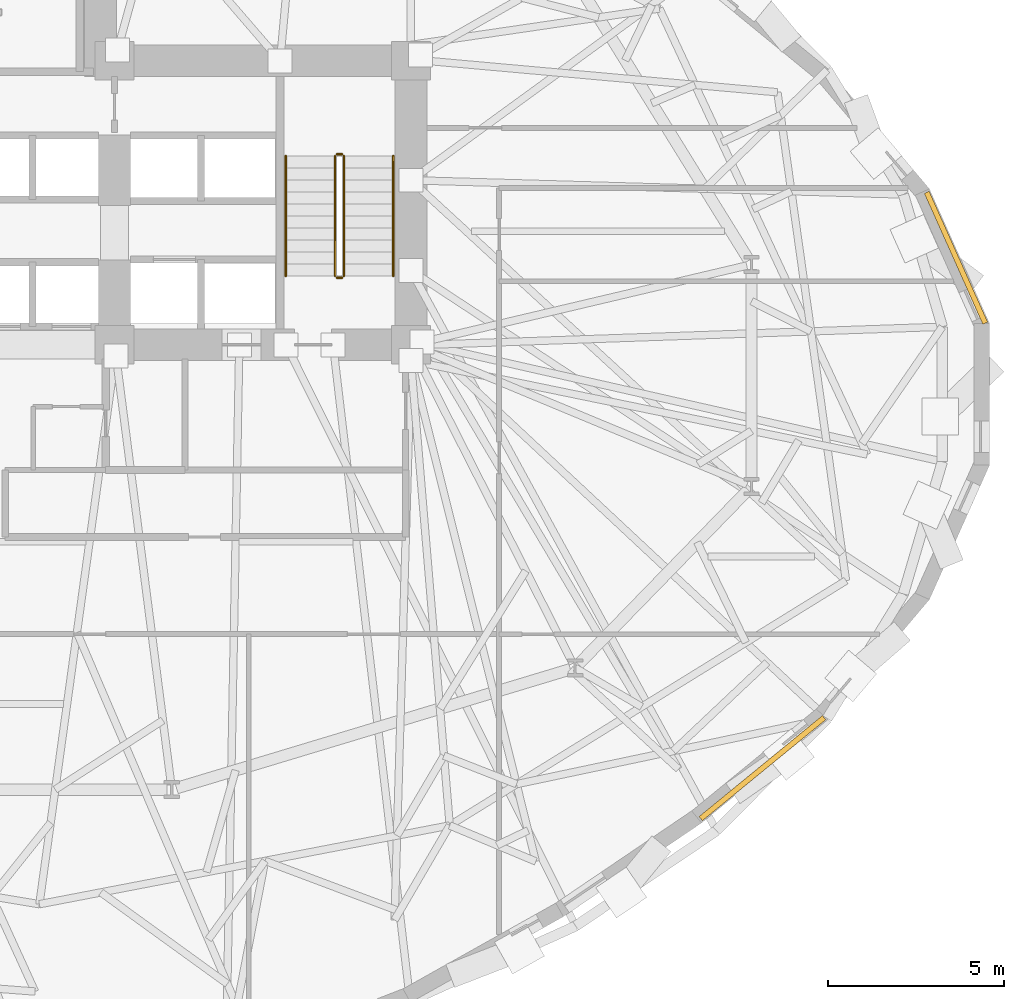
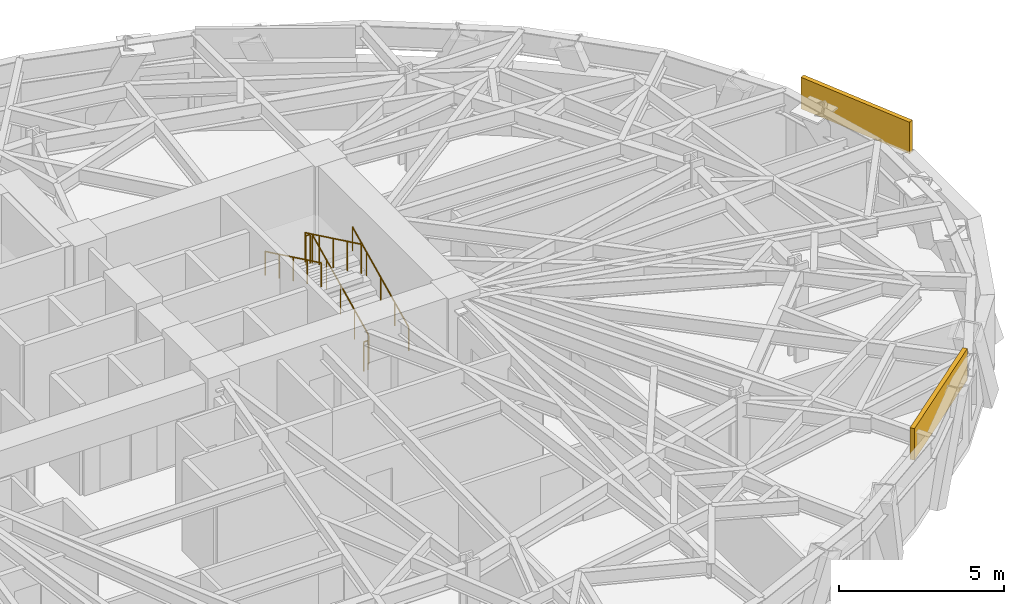
# One storey, part 13 of 14: 6 railings, 2 coverings.
"""IFC4 building model written with IfcOpenShell, lengths in metres."""

from ifc_helpers import new_model, si_unit, direction, frame, origin, origin_2d, place, context, subcontext, project, spatial, rectangle, circle, extrude, material, layer, layer_set, type_object, element, save


model = new_model("IFC4")

# Units and contexts
model_context = context("Model", 3, precision=1e-05, world=origin(), true_north=direction((0.0, 1.0)))
body_context = subcontext(model_context, "Body", "Model", "MODEL_VIEW")
ifc_project = project(units=[si_unit("LENGTHUNIT", "METRE"), si_unit("AREAUNIT", "SQUARE_METRE"), si_unit("VOLUMEUNIT", "CUBIC_METRE"), si_unit("PLANEANGLEUNIT", "RADIAN"), si_unit("MASSUNIT", "GRAM", prefix="KILO")], contexts=[model_context])

# Site, building, storey
site_placement = place(None, origin())
site = spatial("IfcSite", under=ifc_project, at=site_placement, CompositionType="ELEMENT")
building_placement = place(site_placement, origin())
building = spatial("IfcBuilding", under=site, at=building_placement, Name="Keldmark Tower", CompositionType="ELEMENT")
storey_placement = place(building_placement, frame((0.0, 0.0, 73.800048828125)))
storey = spatial("IfcBuildingStorey", under=building, at=storey_placement, Name="L19", CompositionType="ELEMENT", Elevation=73.800048828125)

# Coverings
ifc_material_1 = material(Name="Honed Kasota Buff Dolomitic Limestone", Category="masonry")
ifc_layer = layer(ifc_material_1, 0.074951171875)
ifc_layer_set = layer_set([ifc_layer], Name="Honed Kasota Buff Dolomitic Limestone")
covering_type = type_object("IfcCoveringType", Name="Kasota Buff Limestone Spandrel Cladding Band", PredefinedType="CLADDING", material=ifc_layer_set)
covering_1_placement = place(storey_placement, frame((29.050048828125, 3.8671875, 2.412841796875), z_axis=(0.0, 0.0, 1.0), x_axis=(-0.408378255707, 0.912812795849, 0.0)))
element("IfcCovering", 1, at=covering_1_placement, inside=storey, type_object=covering_type, Name="L19 Kasota Limestone Spandrel Band 01", PredefinedType="CLADDING", context=body_context, shape_type="SweptSolid", body=[
    extrude(rectangle(XDim=4.06103515625, YDim=0.14990234375, at=origin_2d()), origin(), (0.0, 0.0, 1.0), 1.1669921875),
])
covering_2_placement = place(storey_placement, frame((23.562255859375, -10.598876953125, 2.412841796875), z_axis=(0.0, 0.0, 1.0), x_axis=(0.773773877994, 0.633461905512, 0.0)))
element("IfcCovering", 2, at=covering_2_placement, inside=storey, type_object=covering_type, Name="L19 Kasota Limestone Spandrel Band 29", PredefinedType="CLADDING", context=body_context, shape_type="SweptSolid", body=[
    extrude(rectangle(XDim=4.516845703125, YDim=0.14990234375, at=origin_2d()), origin(), (0.0, 0.0, 1.0), 1.1669921875),
])

# Railings
ifc_material_2 = material(Name="Painted Steel ASTM A500 Grade B", Category="steel")
railing_type_1 = type_object("IfcRailingType", Name="Painted Steel Stair Well Guard 1100 mm", PredefinedType="GUARDRAIL", material=ifc_material_2)
railing_1_placement = place(storey_placement, frame((11.699951171875, 3.35009765625, 0.16357421875)))
element("IfcRailing", 3, at=railing_1_placement, inside=storey, type_object=railing_type_1, Name="L19 ST2 stair guard 1", PredefinedType="GUARDRAIL", context=body_context, shape_type="SweptSolid", body=[
    extrude(circle(Radius=0.02392578125, at=origin_2d()), frame((0.0, 0.0, 1.076171875), z_axis=(0.0, 0.901055053782, 0.433704726806), x_axis=(-1.0, 0.0, 0.0)), (0.0, 0.0, 1.0), 3.773193359375),
    extrude(circle(Radius=0.02099609375, at=origin_2d()), origin(), (0.0, 0.0, 1.0), 1.052001953125),
    extrude(circle(Radius=0.02099609375, at=origin_2d()), frame((0.0, 0.85009765625, 0.4091796875)), (0.0, 0.0, 1.0), 1.052001953125),
    extrude(circle(Radius=0.02099609375, at=origin_2d()), frame((0.0, 1.699951171875, 0.818359375)), (0.0, 0.0, 1.0), 1.052001953125),
    extrude(circle(Radius=0.02099609375, at=origin_2d()), frame((0.0, 2.5498046875, 1.227294921875)), (0.0, 0.0, 1.0), 1.052001953125),
    extrude(circle(Radius=0.02099609375, at=origin_2d()), frame((0.0, 3.39990234375, 1.636474609375)), (0.0, 0.0, 1.0), 1.052001953125),
])
railing_2_placement = place(storey_placement, frame((11.64990234375, 6.800048828125, 1.800048828125)))
element("IfcRailing", 4, at=railing_2_placement, inside=storey, type_object=railing_type_1, Name="L19 ST2 stair guard 2", PredefinedType="GUARDRAIL", context=body_context, shape_type="SweptSolid", body=[
    extrude(circle(Radius=0.02392578125, at=origin_2d()), frame((0.0, 0.0, 1.076171875), z_axis=(-1.0, 0.0, 0.0), x_axis=(0.0, -1.0, 0.0)), (0.0, 0.0, 1.0), 0.14990234375),
    extrude(circle(Radius=0.02099609375, at=origin_2d()), origin(), (0.0, 0.0, 1.0), 1.052001953125),
    extrude(circle(Radius=0.02099609375, at=origin_2d()), frame((-0.14990234375, 0.0, 0.0)), (0.0, 0.0, 1.0), 1.052001953125),
])
railing_3_placement = place(storey_placement, frame((11.449951171875, 6.75, 1.963623046875)))
element("IfcRailing", 5, at=railing_3_placement, inside=storey, type_object=railing_type_1, Name="L19 ST2 stair guard 3", PredefinedType="GUARDRAIL", context=body_context, shape_type="SweptSolid", body=[
    extrude(circle(Radius=0.02392578125, at=origin_2d()), frame((0.0, 0.0, 1.076171875), z_axis=(0.0, -0.901080338394, 0.433652192153), x_axis=(1.0, 0.0, 0.0)), (0.0, 0.0, 1.0), 3.773193359375),
    extrude(circle(Radius=0.02099609375, at=origin_2d()), origin(), (0.0, 0.0, 1.0), 1.052001953125),
    extrude(circle(Radius=0.02099609375, at=origin_2d()), frame((0.0, -0.85009765625, 0.4091796875)), (0.0, 0.0, 1.0), 1.052001953125),
    extrude(circle(Radius=0.02099609375, at=origin_2d()), frame((0.0, -1.699951171875, 0.818115234375)), (0.0, 0.0, 1.0), 1.052001953125),
    extrude(circle(Radius=0.02099609375, at=origin_2d()), frame((0.0, -2.5498046875, 1.22705078125)), (0.0, 0.0, 1.0), 1.052001953125),
    extrude(circle(Radius=0.02099609375, at=origin_2d()), frame((0.0, -3.39990234375, 1.63623046875)), (0.0, 0.0, 1.0), 1.052001953125),
])
railing_4_placement = place(storey_placement, frame((11.64990234375, 3.300048828125, 0.0)))
element("IfcRailing", 6, at=railing_4_placement, inside=storey, type_object=railing_type_1, Name="L19 ST2 stair guard 4", PredefinedType="GUARDRAIL", context=body_context, shape_type="SweptSolid", body=[
    extrude(circle(Radius=0.02392578125, at=origin_2d()), frame((0.0, 0.0, 1.076171875), z_axis=(-1.0, 0.0, 0.0), x_axis=(0.0, -1.0, 0.0)), (0.0, 0.0, 1.0), 0.14990234375),
    extrude(circle(Radius=0.02099609375, at=origin_2d()), origin(), (0.0, 0.0, 1.0), 1.052001953125),
    extrude(circle(Radius=0.02099609375, at=origin_2d()), frame((-0.14990234375, 0.0, 0.0)), (0.0, 0.0, 1.0), 1.052001953125),
])
ifc_material_3 = material(Name="Stainless Steel AISI 316L", Category="steel")
railing_type_2 = type_object("IfcRailingType", Name="Stainless Steel Stair Handrail 900 mm", PredefinedType="HANDRAIL", material=ifc_material_3)
railing_5_placement = place(storey_placement, frame((13.10009765625, 3.35009765625, 0.16357421875)))
element("IfcRailing", 7, at=railing_5_placement, inside=storey, type_object=railing_type_2, Name="L19 ST2 stair handrail 1", PredefinedType="HANDRAIL", context=body_context, shape_type="SweptSolid", body=[
    extrude(circle(Radius=0.02392578125, at=origin_2d()), frame((0.0, 0.0, 0.8759765625), z_axis=(0.0, 0.901055053782, 0.433704726806), x_axis=(-1.0, 0.0, 0.0)), (0.0, 0.0, 1.0), 3.773193359375),
    extrude(circle(Radius=0.02099609375, at=origin_2d()), origin(), (0.0, 0.0, 1.0), 0.851806640625),
    extrude(circle(Radius=0.02099609375, at=origin_2d()), frame((0.0, 0.85009765625, 0.4091796875)), (0.0, 0.0, 1.0), 0.851806640625),
    extrude(circle(Radius=0.02099609375, at=origin_2d()), frame((0.0, 1.699951171875, 0.818359375)), (0.0, 0.0, 1.0), 0.851806640625),
    extrude(circle(Radius=0.02099609375, at=origin_2d()), frame((0.0, 2.5498046875, 1.227294921875)), (0.0, 0.0, 1.0), 0.851806640625),
    extrude(circle(Radius=0.02099609375, at=origin_2d()), frame((0.0, 3.39990234375, 1.636474609375)), (0.0, 0.0, 1.0), 0.851806640625),
])
railing_6_placement = place(storey_placement, frame((10.050048828125, 6.75, 1.963623046875)))
element("IfcRailing", 8, at=railing_6_placement, inside=storey, type_object=railing_type_2, Name="L19 ST2 stair handrail 2", PredefinedType="HANDRAIL", context=body_context, shape_type="SweptSolid", body=[
    extrude(circle(Radius=0.02392578125, at=origin_2d()), frame((0.0, 0.0, 0.8759765625), z_axis=(0.0, -0.901080338394, 0.433652192153), x_axis=(1.0, 0.0, 0.0)), (0.0, 0.0, 1.0), 3.773193359375),
    extrude(circle(Radius=0.02099609375, at=origin_2d()), origin(), (0.0, 0.0, 1.0), 0.851806640625),
    extrude(circle(Radius=0.02099609375, at=origin_2d()), frame((0.0, -0.85009765625, 0.4091796875)), (0.0, 0.0, 1.0), 0.851806640625),
    extrude(circle(Radius=0.02099609375, at=origin_2d()), frame((0.0, -1.699951171875, 0.818115234375)), (0.0, 0.0, 1.0), 0.851806640625),
    extrude(circle(Radius=0.02099609375, at=origin_2d()), frame((0.0, -2.5498046875, 1.22705078125)), (0.0, 0.0, 1.0), 0.851806640625),
    extrude(circle(Radius=0.02099609375, at=origin_2d()), frame((0.0, -3.39990234375, 1.63623046875)), (0.0, 0.0, 1.0), 0.851806640625),
])

save(model, "model.ifc")
